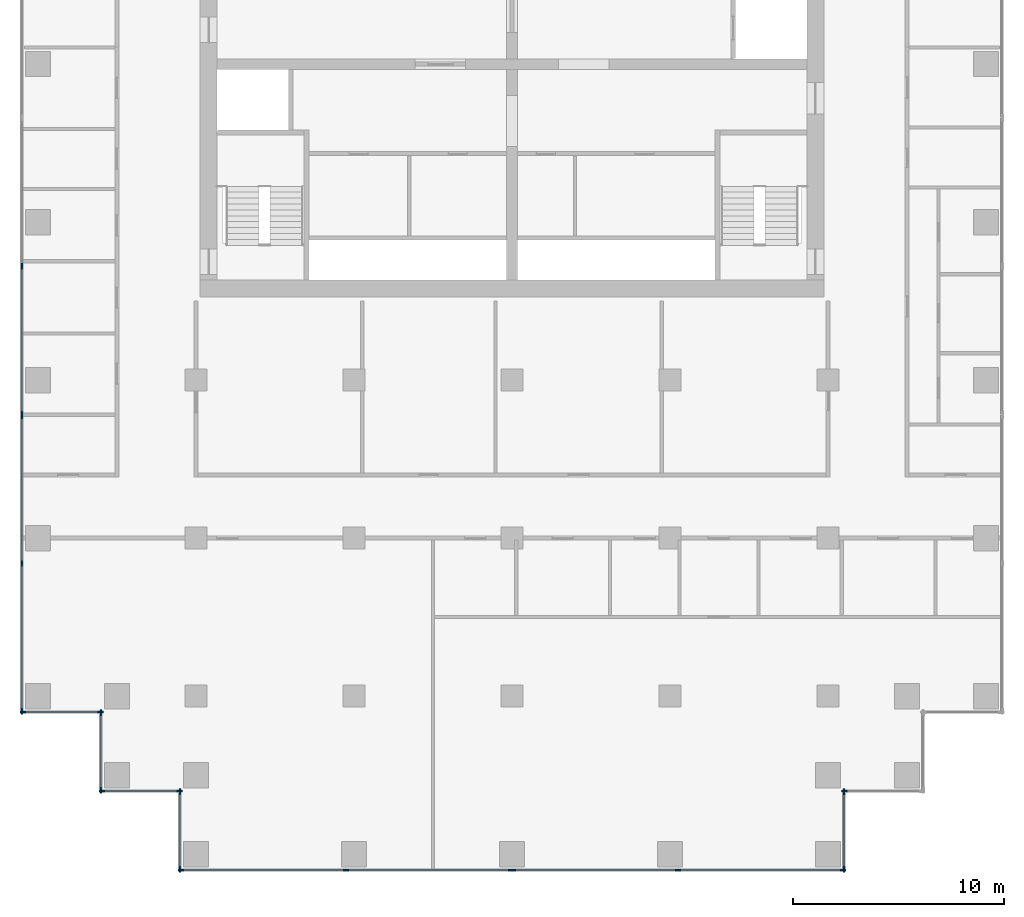
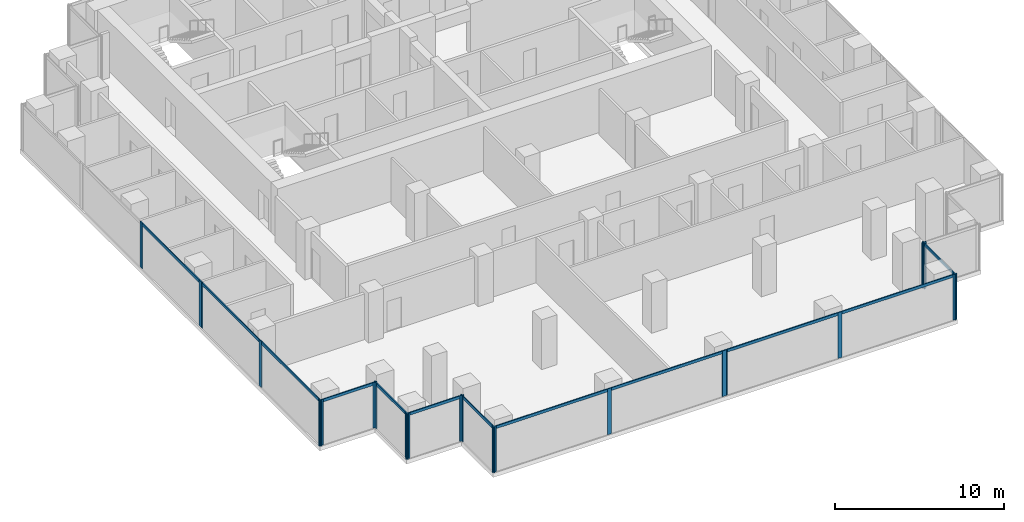
# One storey, part 2 of 10: 34 members, 10 elements without a shape of their own.
"""IFC4 building model written with IfcOpenShell, lengths in metres."""

from ifc_helpers import new_model, si_unit, direction, frame, origin, origin_2d, place, context, subcontext, project, spatial, rectangle, extrude, material, material_profile, profile_set, type_object, element, aggregate, save


model = new_model("IFC4")

# Units and contexts
model_context = context("Model", 3, precision=1e-05, world=origin(), true_north=direction((0.0, 1.0)))
body_context = subcontext(model_context, "Body", "Model", "MODEL_VIEW")
ifc_project = project(units=[si_unit("LENGTHUNIT", "METRE"), si_unit("AREAUNIT", "SQUARE_METRE"), si_unit("VOLUMEUNIT", "CUBIC_METRE"), si_unit("PLANEANGLEUNIT", "RADIAN"), si_unit("MASSUNIT", "GRAM", prefix="KILO")], contexts=[model_context])

# Site, building, storey
site_placement = place(None, origin())
site = spatial("IfcSite", under=ifc_project, at=site_placement, CompositionType="ELEMENT")
building_placement = place(site_placement, origin())
building = spatial("IfcBuilding", under=site, at=building_placement, Name="Pilkhan Gate Tower", CompositionType="ELEMENT")
storey_placement = place(building_placement, frame((0.0, 0.0, 165.699951171875)))
storey = spatial("IfcBuildingStorey", under=building, at=storey_placement, Name="L42", CompositionType="ELEMENT", Elevation=165.699951171875)

# Curtain wall, members
ifc_material_1 = material(Name="Pale anodised aluminium, clear low-iron double glazing", Category="aluminium")
curtain_wall_type = type_object("IfcCurtainWallType", Name="Office unitised curtain wall CW-O1", PredefinedType="USERDEFINED", material=ifc_material_1)
curtain_wall_1_placement = place(storey_placement, origin())
curtain_wall_1 = element("IfcCurtainWall", 1, at=curtain_wall_1_placement, inside=storey, type_object=curtain_wall_type, Name="Office unitised curtain wall CW-O1 L42 W", ObjectType="UNITISED CURTAIN WALL", PredefinedType="USERDEFINED")
ifc_material_2 = material(Name="Pale anodised aluminium", Category="aluminium")
ifc_material_profile_1 = material_profile(ifc_material_2, rectangle(XDim=0.070068359375, YDim=0.27490234375, at=origin_2d()), Name="Mullion 275x70")
ifc_profile_set_1 = profile_set([ifc_material_profile_1], Name="Pale anodised aluminium")
member_type_1 = type_object("IfcMemberType", Name="Mullion CW-O1 275x70", PredefinedType="MULLION", material=ifc_profile_set_1)
member_1_placement = place(storey_placement, frame((51.75, 51.784912109375, 0.0), z_axis=(0.0, 0.0, 1.0), x_axis=(-1.0, 0.0, 0.0)))
member_1 = element("IfcMember", 2, at=member_1_placement, type_object=member_type_1, Name="CW-O1 mullion 1", PredefinedType="MULLION", context=body_context, shape_type="SweptSolid", body=[
    extrude(rectangle(XDim=0.070068359375, YDim=0.27490234375, at=origin_2d()), origin(), (0.0, 0.0, 1.0), 3.300048828125),
])
member_2_placement = place(storey_placement, frame((51.75, 58.800048828125, 0.0), z_axis=(0.0, 0.0, 1.0), x_axis=(-1.0, 0.0, 0.0)))
member_2 = element("IfcMember", 3, at=member_2_placement, type_object=member_type_1, Name="CW-O1 mullion 2", PredefinedType="MULLION", context=body_context, shape_type="SweptSolid", body=[
    extrude(rectangle(XDim=0.070068359375, YDim=0.27490234375, at=origin_2d()), origin(), (0.0, 0.0, 1.0), 3.300048828125),
])
member_3_placement = place(storey_placement, frame((51.75, 65.81494140625, 0.0), z_axis=(0.0, 0.0, 1.0), x_axis=(-1.0, 0.0, 0.0)))
member_3 = element("IfcMember", 4, at=member_3_placement, type_object=member_type_1, Name="CW-O1 mullion 3", PredefinedType="MULLION", context=body_context, shape_type="SweptSolid", body=[
    extrude(rectangle(XDim=0.070068359375, YDim=0.27490234375, at=origin_2d()), origin(), (0.0, 0.0, 1.0), 3.300048828125),
])

curtain_wall_2_placement = place(storey_placement, origin())
curtain_wall_2 = element("IfcCurtainWall", 5, at=curtain_wall_2_placement, inside=storey, type_object=curtain_wall_type, Name="Office unitised curtain wall CW-O1 L42 W", ObjectType="UNITISED CURTAIN WALL", PredefinedType="USERDEFINED")
member_4_placement = place(storey_placement, frame((51.75, 65.885009765625, 0.0), z_axis=(0.0, 0.0, 1.0), x_axis=(-1.0, 0.0, 0.0)))
member_4 = element("IfcMember", 6, at=member_4_placement, type_object=member_type_1, Name="CW-O1 mullion 1", PredefinedType="MULLION", context=body_context, shape_type="SweptSolid", body=[
    extrude(rectangle(XDim=0.070068359375, YDim=0.27490234375, at=origin_2d()), origin(), (0.0, 0.0, 1.0), 3.300048828125),
])
member_5_placement = place(storey_placement, frame((51.75, 72.89990234375, 0.0), z_axis=(0.0, 0.0, 1.0), x_axis=(-1.0, 0.0, 0.0)))
member_5 = element("IfcMember", 7, at=member_5_placement, type_object=member_type_1, Name="CW-O1 mullion 2", PredefinedType="MULLION", context=body_context, shape_type="SweptSolid", body=[
    extrude(rectangle(XDim=0.070068359375, YDim=0.27490234375, at=origin_2d()), origin(), (0.0, 0.0, 1.0), 3.300048828125),
])

curtain_wall_3_placement = place(storey_placement, origin())
curtain_wall_3 = element("IfcCurtainWall", 8, at=curtain_wall_3_placement, inside=storey, type_object=curtain_wall_type, Name="Office unitised curtain wall CW-O1 L42 S", ObjectType="UNITISED CURTAIN WALL", PredefinedType="USERDEFINED")
member_6_placement = place(storey_placement, frame((51.784912109375, 51.75, 0.0), z_axis=(0.0, 0.0, 1.0), x_axis=(0.0, 1.0, 0.0)))
member_6 = element("IfcMember", 9, at=member_6_placement, type_object=member_type_1, Name="CW-O1 mullion 1", PredefinedType="MULLION", context=body_context, shape_type="SweptSolid", body=[
    extrude(rectangle(XDim=0.070068359375, YDim=0.27490234375, at=origin_2d()), origin(), (0.0, 0.0, 1.0), 3.300048828125),
])
member_7_placement = place(storey_placement, frame((55.465087890625, 51.75, 0.0), z_axis=(0.0, 0.0, 1.0), x_axis=(0.0, 1.0, 0.0)))
member_7 = element("IfcMember", 10, at=member_7_placement, type_object=member_type_1, Name="CW-O1 mullion 2", PredefinedType="MULLION", context=body_context, shape_type="SweptSolid", body=[
    extrude(rectangle(XDim=0.070068359375, YDim=0.27490234375, at=origin_2d()), origin(), (0.0, 0.0, 1.0), 3.300048828125),
])

curtain_wall_4_placement = place(storey_placement, origin())
curtain_wall_4 = element("IfcCurtainWall", 11, at=curtain_wall_4_placement, inside=storey, type_object=curtain_wall_type, Name="Office unitised curtain wall CW-O1 L42 W", ObjectType="UNITISED CURTAIN WALL", PredefinedType="USERDEFINED")
member_8_placement = place(storey_placement, frame((55.5, 48.034912109375, 0.0), z_axis=(0.0, 0.0, 1.0), x_axis=(-1.0, 0.0, 0.0)))
member_8 = element("IfcMember", 12, at=member_8_placement, type_object=member_type_1, Name="CW-O1 mullion 1", PredefinedType="MULLION", context=body_context, shape_type="SweptSolid", body=[
    extrude(rectangle(XDim=0.070068359375, YDim=0.27490234375, at=origin_2d()), origin(), (0.0, 0.0, 1.0), 3.300048828125),
])
member_9_placement = place(storey_placement, frame((55.5, 51.715087890625, 0.0), z_axis=(0.0, 0.0, 1.0), x_axis=(-1.0, 0.0, 0.0)))
member_9 = element("IfcMember", 13, at=member_9_placement, type_object=member_type_1, Name="CW-O1 mullion 2", PredefinedType="MULLION", context=body_context, shape_type="SweptSolid", body=[
    extrude(rectangle(XDim=0.070068359375, YDim=0.27490234375, at=origin_2d()), origin(), (0.0, 0.0, 1.0), 3.300048828125),
])

curtain_wall_5_placement = place(storey_placement, origin())
curtain_wall_5 = element("IfcCurtainWall", 14, at=curtain_wall_5_placement, inside=storey, type_object=curtain_wall_type, Name="Office unitised curtain wall CW-O1 L42 S", ObjectType="UNITISED CURTAIN WALL", PredefinedType="USERDEFINED")
member_10_placement = place(storey_placement, frame((55.534912109375, 48.0, 0.0), z_axis=(0.0, 0.0, 1.0), x_axis=(0.0, 1.0, 0.0)))
member_10 = element("IfcMember", 15, at=member_10_placement, type_object=member_type_1, Name="CW-O1 mullion 1", PredefinedType="MULLION", context=body_context, shape_type="SweptSolid", body=[
    extrude(rectangle(XDim=0.070068359375, YDim=0.27490234375, at=origin_2d()), origin(), (0.0, 0.0, 1.0), 3.300048828125),
])
member_11_placement = place(storey_placement, frame((59.215087890625, 48.0, 0.0), z_axis=(0.0, 0.0, 1.0), x_axis=(0.0, 1.0, 0.0)))
member_11 = element("IfcMember", 16, at=member_11_placement, type_object=member_type_1, Name="CW-O1 mullion 2", PredefinedType="MULLION", context=body_context, shape_type="SweptSolid", body=[
    extrude(rectangle(XDim=0.070068359375, YDim=0.27490234375, at=origin_2d()), origin(), (0.0, 0.0, 1.0), 3.300048828125),
])

curtain_wall_6_placement = place(storey_placement, origin())
curtain_wall_6 = element("IfcCurtainWall", 17, at=curtain_wall_6_placement, inside=storey, type_object=curtain_wall_type, Name="Office unitised curtain wall CW-O1 L42 W", ObjectType="UNITISED CURTAIN WALL", PredefinedType="USERDEFINED")
member_12_placement = place(storey_placement, frame((59.25, 44.284912109375, 0.0), z_axis=(0.0, 0.0, 1.0), x_axis=(-1.0, 0.0, 0.0)))
member_12 = element("IfcMember", 18, at=member_12_placement, type_object=member_type_1, Name="CW-O1 mullion 1", PredefinedType="MULLION", context=body_context, shape_type="SweptSolid", body=[
    extrude(rectangle(XDim=0.070068359375, YDim=0.27490234375, at=origin_2d()), origin(), (0.0, 0.0, 1.0), 3.300048828125),
])
member_13_placement = place(storey_placement, frame((59.25, 47.965087890625, 0.0), z_axis=(0.0, 0.0, 1.0), x_axis=(-1.0, 0.0, 0.0)))
member_13 = element("IfcMember", 19, at=member_13_placement, type_object=member_type_1, Name="CW-O1 mullion 2", PredefinedType="MULLION", context=body_context, shape_type="SweptSolid", body=[
    extrude(rectangle(XDim=0.070068359375, YDim=0.27490234375, at=origin_2d()), origin(), (0.0, 0.0, 1.0), 3.300048828125),
])

curtain_wall_7_placement = place(storey_placement, origin())
curtain_wall_7 = element("IfcCurtainWall", 20, at=curtain_wall_7_placement, inside=storey, type_object=curtain_wall_type, Name="Office unitised curtain wall CW-O1 L42 S", ObjectType="UNITISED CURTAIN WALL", PredefinedType="USERDEFINED")
member_14_placement = place(storey_placement, frame((59.284912109375, 44.25, 0.0), z_axis=(0.0, 0.0, 1.0), x_axis=(0.0, 1.0, 0.0)))
member_14 = element("IfcMember", 21, at=member_14_placement, type_object=member_type_1, Name="CW-O1 mullion 1", PredefinedType="MULLION", context=body_context, shape_type="SweptSolid", body=[
    extrude(rectangle(XDim=0.070068359375, YDim=0.27490234375, at=origin_2d()), origin(), (0.0, 0.0, 1.0), 3.300048828125),
])
member_15_placement = place(storey_placement, frame((67.125, 44.25, 0.0), z_axis=(0.0, 0.0, 1.0), x_axis=(0.0, 1.0, 0.0)))
member_15 = element("IfcMember", 22, at=member_15_placement, type_object=member_type_1, Name="CW-O1 mullion 2", PredefinedType="MULLION", context=body_context, shape_type="SweptSolid", body=[
    extrude(rectangle(XDim=0.070068359375, YDim=0.27490234375, at=origin_2d()), origin(), (0.0, 0.0, 1.0), 3.300048828125),
])
member_16_placement = place(storey_placement, frame((74.965087890625, 44.25, 0.0), z_axis=(0.0, 0.0, 1.0), x_axis=(0.0, 1.0, 0.0)))
member_16 = element("IfcMember", 23, at=member_16_placement, type_object=member_type_1, Name="CW-O1 mullion 3", PredefinedType="MULLION", context=body_context, shape_type="SweptSolid", body=[
    extrude(rectangle(XDim=0.070068359375, YDim=0.27490234375, at=origin_2d()), origin(), (0.0, 0.0, 1.0), 3.300048828125),
])

curtain_wall_8_placement = place(storey_placement, origin())
curtain_wall_8 = element("IfcCurtainWall", 24, at=curtain_wall_8_placement, inside=storey, type_object=curtain_wall_type, Name="Office unitised curtain wall CW-O1 L42 S", ObjectType="UNITISED CURTAIN WALL", PredefinedType="USERDEFINED")
member_17_placement = place(storey_placement, frame((75.034912109375, 44.25, 0.0), z_axis=(0.0, 0.0, 1.0), x_axis=(0.0, 1.0, 0.0)))
member_17 = element("IfcMember", 25, at=member_17_placement, type_object=member_type_1, Name="CW-O1 mullion 1", PredefinedType="MULLION", context=body_context, shape_type="SweptSolid", body=[
    extrude(rectangle(XDim=0.070068359375, YDim=0.27490234375, at=origin_2d()), origin(), (0.0, 0.0, 1.0), 3.300048828125),
])
member_18_placement = place(storey_placement, frame((82.875, 44.25, 0.0), z_axis=(0.0, 0.0, 1.0), x_axis=(0.0, 1.0, 0.0)))
member_18 = element("IfcMember", 26, at=member_18_placement, type_object=member_type_1, Name="CW-O1 mullion 2", PredefinedType="MULLION", context=body_context, shape_type="SweptSolid", body=[
    extrude(rectangle(XDim=0.070068359375, YDim=0.27490234375, at=origin_2d()), origin(), (0.0, 0.0, 1.0), 3.300048828125),
])
member_19_placement = place(storey_placement, frame((90.715087890625, 44.25, 0.0), z_axis=(0.0, 0.0, 1.0), x_axis=(0.0, 1.0, 0.0)))
member_19 = element("IfcMember", 27, at=member_19_placement, type_object=member_type_1, Name="CW-O1 mullion 3", PredefinedType="MULLION", context=body_context, shape_type="SweptSolid", body=[
    extrude(rectangle(XDim=0.070068359375, YDim=0.27490234375, at=origin_2d()), origin(), (0.0, 0.0, 1.0), 3.300048828125),
])

curtain_wall_9_placement = place(storey_placement, origin())
curtain_wall_9 = element("IfcCurtainWall", 28, at=curtain_wall_9_placement, inside=storey, type_object=curtain_wall_type, Name="Office unitised curtain wall CW-O1 L42 E", ObjectType="UNITISED CURTAIN WALL", PredefinedType="USERDEFINED")
member_20_placement = place(storey_placement, frame((90.75, 44.284912109375, 0.0), z_axis=(0.0, 0.0, 1.0), x_axis=(-1.0, 0.0, 0.0)))
member_20 = element("IfcMember", 29, at=member_20_placement, type_object=member_type_1, Name="CW-O1 mullion 1", PredefinedType="MULLION", context=body_context, shape_type="SweptSolid", body=[
    extrude(rectangle(XDim=0.070068359375, YDim=0.27490234375, at=origin_2d()), origin(), (0.0, 0.0, 1.0), 3.300048828125),
])
member_21_placement = place(storey_placement, frame((90.75, 47.965087890625, 0.0), z_axis=(0.0, 0.0, 1.0), x_axis=(-1.0, 0.0, 0.0)))
member_21 = element("IfcMember", 30, at=member_21_placement, type_object=member_type_1, Name="CW-O1 mullion 2", PredefinedType="MULLION", context=body_context, shape_type="SweptSolid", body=[
    extrude(rectangle(XDim=0.070068359375, YDim=0.27490234375, at=origin_2d()), origin(), (0.0, 0.0, 1.0), 3.300048828125),
])

# Curtain wall, member
curtain_wall_10_placement = place(storey_placement, origin())
curtain_wall_10 = element("IfcCurtainWall", 31, at=curtain_wall_10_placement, inside=storey, type_object=curtain_wall_type, Name="Office unitised curtain wall CW-O1 L42 S", ObjectType="UNITISED CURTAIN WALL", PredefinedType="USERDEFINED")
member_22_placement = place(storey_placement, frame((90.784912109375, 48.0, 0.0), z_axis=(0.0, 0.0, 1.0), x_axis=(0.0, 1.0, 0.0)))
member_22 = element("IfcMember", 32, at=member_22_placement, type_object=member_type_1, Name="CW-O1 mullion 1", PredefinedType="MULLION", context=body_context, shape_type="SweptSolid", body=[
    extrude(rectangle(XDim=0.070068359375, YDim=0.27490234375, at=origin_2d()), origin(), (0.0, 0.0, 1.0), 3.300048828125),
])
aggregate(curtain_wall_10, [member_22])

# Member
ifc_material_profile_2 = material_profile(ifc_material_2, rectangle(XDim=0.070068359375, YDim=0.199951171875, at=origin_2d()), Name="Transom 200x70")
ifc_profile_set_2 = profile_set([ifc_material_profile_2], Name="Pale anodised aluminium")
member_type_2 = type_object("IfcMemberType", Name="Transom CW-O1 200x70", PredefinedType="USERDEFINED", material=ifc_profile_set_2)
member_23_placement = place(storey_placement, frame((51.75, 51.820068359375, 3.199951171875), z_axis=(0.0, 1.0, 0.0), x_axis=(-1.0, 0.0, 0.0)))
member_23 = element("IfcMember", 33, at=member_23_placement, type_object=member_type_2, Name="CW-O1 transom 1", ObjectType="TRANSOM", PredefinedType="USERDEFINED", context=body_context, shape_type="SweptSolid", body=[
    extrude(rectangle(XDim=0.070068359375, YDim=0.199951171875, at=origin_2d()), origin(), (0.0, 0.0, 1.0), 6.94482421875),
])

member_24_placement = place(storey_placement, frame((51.75, 58.8349609375, 3.199951171875), z_axis=(0.0, 1.0, 0.0), x_axis=(-1.0, 0.0, 0.0)))
member_24 = element("IfcMember", 34, at=member_24_placement, type_object=member_type_2, Name="CW-O1 transom 2", ObjectType="TRANSOM", PredefinedType="USERDEFINED", context=body_context, shape_type="SweptSolid", body=[
    extrude(rectangle(XDim=0.070068359375, YDim=0.199951171875, at=origin_2d()), origin(), (0.0, 0.0, 1.0), 6.945068359375),
])

aggregate(curtain_wall_1, [member_1, member_2, member_3, member_23, member_24])

member_25_placement = place(storey_placement, frame((51.75, 65.919921875, 3.199951171875), z_axis=(0.0, 1.0, 0.0), x_axis=(-1.0, 0.0, 0.0)))
member_25 = element("IfcMember", 35, at=member_25_placement, type_object=member_type_2, Name="CW-O1 transom 1", ObjectType="TRANSOM", PredefinedType="USERDEFINED", context=body_context, shape_type="SweptSolid", body=[
    extrude(rectangle(XDim=0.070068359375, YDim=0.199951171875, at=origin_2d()), origin(), (0.0, 0.0, 1.0), 6.945068359375),
])

aggregate(curtain_wall_2, [member_4, member_5, member_25])

member_26_placement = place(storey_placement, frame((51.820068359375, 51.75, 3.199951171875), z_axis=(1.0, 0.0, 0.0), x_axis=(0.0, 1.0, 0.0)))
member_26 = element("IfcMember", 36, at=member_26_placement, type_object=member_type_2, Name="CW-O1 transom 1", ObjectType="TRANSOM", PredefinedType="USERDEFINED", context=body_context, shape_type="SweptSolid", body=[
    extrude(rectangle(XDim=0.070068359375, YDim=0.199951171875, at=origin_2d()), origin(), (0.0, 0.0, 1.0), 3.60986328125),
])

aggregate(curtain_wall_3, [member_6, member_7, member_26])

member_27_placement = place(storey_placement, frame((55.5, 48.070068359375, 3.199951171875), z_axis=(0.0, 1.0, 0.0), x_axis=(-1.0, 0.0, 0.0)))
member_27 = element("IfcMember", 37, at=member_27_placement, type_object=member_type_2, Name="CW-O1 transom 1", ObjectType="TRANSOM", PredefinedType="USERDEFINED", context=body_context, shape_type="SweptSolid", body=[
    extrude(rectangle(XDim=0.070068359375, YDim=0.199951171875, at=origin_2d()), origin(), (0.0, 0.0, 1.0), 3.60986328125),
])

aggregate(curtain_wall_4, [member_8, member_9, member_27])

member_28_placement = place(storey_placement, frame((55.570068359375, 48.0, 3.199951171875), z_axis=(1.0, 0.0, 0.0), x_axis=(0.0, 1.0, 0.0)))
member_28 = element("IfcMember", 38, at=member_28_placement, type_object=member_type_2, Name="CW-O1 transom 1", ObjectType="TRANSOM", PredefinedType="USERDEFINED", context=body_context, shape_type="SweptSolid", body=[
    extrude(rectangle(XDim=0.070068359375, YDim=0.199951171875, at=origin_2d()), origin(), (0.0, 0.0, 1.0), 3.60986328125),
])

aggregate(curtain_wall_5, [member_10, member_11, member_28])

member_29_placement = place(storey_placement, frame((59.25, 44.320068359375, 3.199951171875), z_axis=(0.0, 1.0, 0.0), x_axis=(-1.0, 0.0, 0.0)))
member_29 = element("IfcMember", 39, at=member_29_placement, type_object=member_type_2, Name="CW-O1 transom 1", ObjectType="TRANSOM", PredefinedType="USERDEFINED", context=body_context, shape_type="SweptSolid", body=[
    extrude(rectangle(XDim=0.070068359375, YDim=0.199951171875, at=origin_2d()), origin(), (0.0, 0.0, 1.0), 3.60986328125),
])

aggregate(curtain_wall_6, [member_12, member_13, member_29])

member_30_placement = place(storey_placement, frame((59.320068359375, 44.25, 3.199951171875), z_axis=(1.0, 0.0, 0.0), x_axis=(0.0, 1.0, 0.0)))
member_30 = element("IfcMember", 40, at=member_30_placement, type_object=member_type_2, Name="CW-O1 transom 1", ObjectType="TRANSOM", PredefinedType="USERDEFINED", context=body_context, shape_type="SweptSolid", body=[
    extrude(rectangle(XDim=0.070068359375, YDim=0.199951171875, at=origin_2d()), origin(), (0.0, 0.0, 1.0), 7.77001953125),
])

member_31_placement = place(storey_placement, frame((67.159912109375, 44.25, 3.199951171875), z_axis=(1.0, 0.0, 0.0), x_axis=(0.0, 1.0, 0.0)))
member_31 = element("IfcMember", 41, at=member_31_placement, type_object=member_type_2, Name="CW-O1 transom 2", ObjectType="TRANSOM", PredefinedType="USERDEFINED", context=body_context, shape_type="SweptSolid", body=[
    extrude(rectangle(XDim=0.070068359375, YDim=0.199951171875, at=origin_2d()), origin(), (0.0, 0.0, 1.0), 7.77001953125),
])

aggregate(curtain_wall_7, [member_14, member_15, member_16, member_30, member_31])

member_32_placement = place(storey_placement, frame((75.070068359375, 44.25, 3.199951171875), z_axis=(1.0, 0.0, 0.0), x_axis=(0.0, 1.0, 0.0)))
member_32 = element("IfcMember", 42, at=member_32_placement, type_object=member_type_2, Name="CW-O1 transom 1", ObjectType="TRANSOM", PredefinedType="USERDEFINED", context=body_context, shape_type="SweptSolid", body=[
    extrude(rectangle(XDim=0.070068359375, YDim=0.199951171875, at=origin_2d()), origin(), (0.0, 0.0, 1.0), 7.77001953125),
])

member_33_placement = place(storey_placement, frame((82.909912109375, 44.25, 3.199951171875), z_axis=(1.0, 0.0, 0.0), x_axis=(0.0, 1.0, 0.0)))
member_33 = element("IfcMember", 43, at=member_33_placement, type_object=member_type_2, Name="CW-O1 transom 2", ObjectType="TRANSOM", PredefinedType="USERDEFINED", context=body_context, shape_type="SweptSolid", body=[
    extrude(rectangle(XDim=0.070068359375, YDim=0.199951171875, at=origin_2d()), origin(), (0.0, 0.0, 1.0), 7.77001953125),
])

aggregate(curtain_wall_8, [member_17, member_18, member_19, member_32, member_33])

member_34_placement = place(storey_placement, frame((90.75, 44.320068359375, 3.199951171875), z_axis=(0.0, 1.0, 0.0), x_axis=(-1.0, 0.0, 0.0)))
member_34 = element("IfcMember", 44, at=member_34_placement, type_object=member_type_2, Name="CW-O1 transom 1", ObjectType="TRANSOM", PredefinedType="USERDEFINED", context=body_context, shape_type="SweptSolid", body=[
    extrude(rectangle(XDim=0.070068359375, YDim=0.199951171875, at=origin_2d()), origin(), (0.0, 0.0, 1.0), 3.60986328125),
])

aggregate(curtain_wall_9, [member_20, member_21, member_34])

save(model, "model.ifc")
